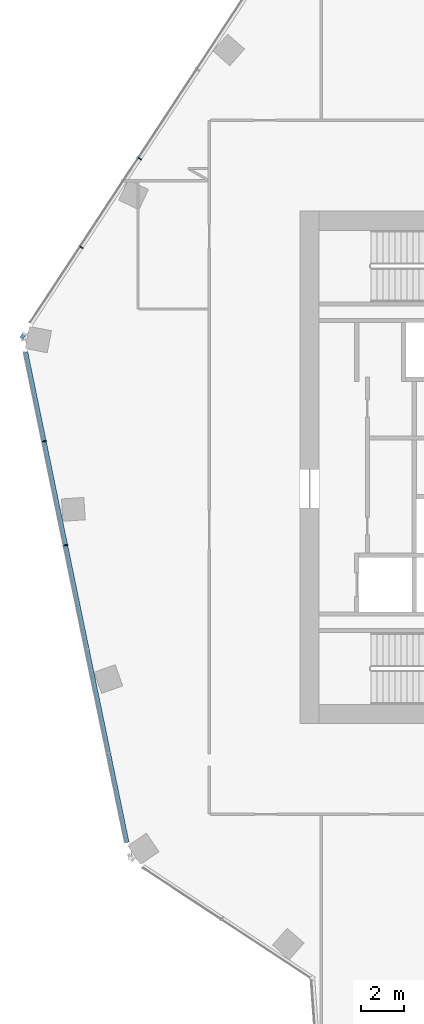
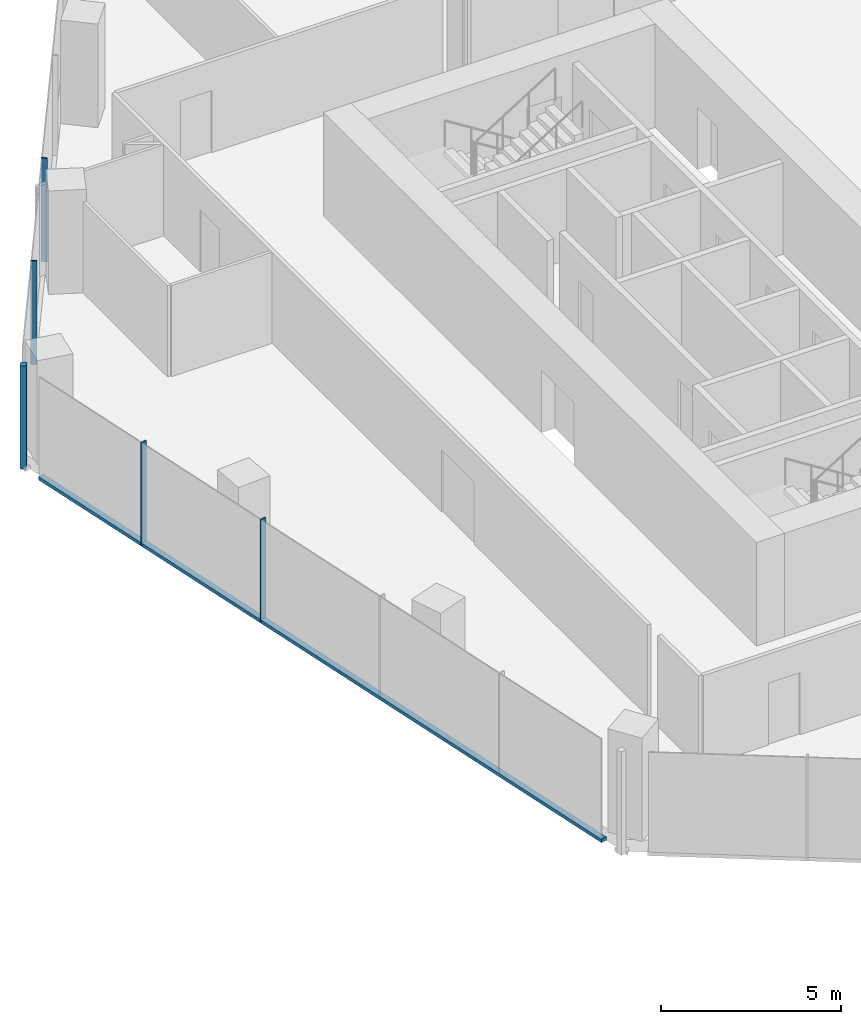
# One storey, part 6 of 24: 6 members, 2 elements without a shape of their own.
"""IFC4 building model written with IfcOpenShell, lengths in metres."""

from ifc_helpers import new_model, si_unit, direction, frame, origin, origin_2d, place, context, subcontext, project, spatial, rectangle, extrude, material, material_profile, profile_set, type_object, element, aggregate, save


model = new_model("IFC4")

# Units and contexts
model_context = context("Model", 3, precision=1e-05, world=origin(), true_north=direction((0.0, 1.0)))
body_context = subcontext(model_context, "Body", "Model", "MODEL_VIEW")
ifc_project = project(units=[si_unit("LENGTHUNIT", "METRE"), si_unit("AREAUNIT", "SQUARE_METRE"), si_unit("VOLUMEUNIT", "CUBIC_METRE"), si_unit("PLANEANGLEUNIT", "RADIAN"), si_unit("MASSUNIT", "GRAM", prefix="KILO")], contexts=[model_context])

# Site, building, storey
site_placement = place(None, origin())
site = spatial("IfcSite", under=ifc_project, at=site_placement, CompositionType="ELEMENT")
building_placement = place(site_placement, origin())
building = spatial("IfcBuilding", under=site, at=building_placement, Name="Orlundy Tower", CompositionType="ELEMENT")
storey_placement = place(building_placement, frame((0.0, 0.0, 239.0)))
storey = spatial("IfcBuildingStorey", under=building, at=storey_placement, Name="L63", CompositionType="ELEMENT", Elevation=239.0)

# Curtain wall, member
ifc_material_1 = material(Name="Aluminium bronze anodised", Category="aluminium")
curtain_wall_type = type_object("IfcCurtainWallType", Name="CW1 wall", PredefinedType="NOTDEFINED", material=ifc_material_1)
curtain_wall_1_placement = place(storey_placement, origin())
curtain_wall_1 = element("IfcCurtainWall", 1, at=curtain_wall_1_placement, inside=storey, type_object=curtain_wall_type, Name="CW1 run 015", PredefinedType="NOTDEFINED")
ifc_material_2 = material(Name="Aluminium bronze anodised", Category="aluminium")
ifc_material_profile_1 = material_profile(ifc_material_2, rectangle(XDim=0.179931640625, YDim=0.179931640625, at=origin_2d()), Name="CW1 corner post 180x180")
ifc_profile_set_1 = profile_set([ifc_material_profile_1], Name="Aluminium bronze anodised")
member_type_1 = type_object("IfcMemberType", Name="CW1 corner post 180x180", PredefinedType="MULLION", material=ifc_profile_set_1)
member_1_placement = place(storey_placement, frame((-31.98876953125, 6.121337890625, -0.39990234375), z_axis=(0.0, 0.0, 1.0), x_axis=(-0.835482225793, 0.5495174705, 0.0)))
member_1 = element("IfcMember", 2, at=member_1_placement, type_object=member_type_1, Name="CW1 mullion 27", PredefinedType="MULLION", context=body_context, shape_type="SweptSolid", body=[
    extrude(rectangle(XDim=0.179931640625, YDim=0.179931640625, at=origin_2d()), origin(), (0.0, 0.0, 1.0), 3.5),
])

# Curtain wall, members
curtain_wall_2_placement = place(storey_placement, origin())
curtain_wall_2 = element("IfcCurtainWall", 3, at=curtain_wall_2_placement, inside=storey, type_object=curtain_wall_type, Name="CW1 run 014", PredefinedType="NOTDEFINED")
ifc_material_3 = material(Name="Aluminium bronze anodised", Category="aluminium")
ifc_material_profile_2 = material_profile(ifc_material_3, rectangle(XDim=0.179931640625, YDim=0.050048828125, at=origin_2d()), Name="CW1 mullion 50x180")
ifc_profile_set_2 = profile_set([ifc_material_profile_2], Name="Aluminium bronze anodised")
member_type_2 = type_object("IfcMemberType", Name="CW1 mullion 50x180", PredefinedType="MULLION", material=ifc_profile_set_2)
member_2_placement = place(storey_placement, frame((-29.970703125, -3.65087890625, -0.39990234375), z_axis=(0.0, 0.0, 1.0), x_axis=(-0.979337428215, -0.202233038095, 0.0)))
member_2 = element("IfcMember", 4, at=member_2_placement, type_object=member_type_2, Name="CW1 mullion 25", PredefinedType="MULLION", context=body_context, shape_type="SweptSolid", body=[
    extrude(rectangle(XDim=0.179931640625, YDim=0.050048828125, at=origin_2d()), origin(), (0.0, 0.0, 1.0), 3.5),
])
member_3_placement = place(storey_placement, frame((-30.975830078125, 1.217041015625, -0.39990234375), z_axis=(0.0, 0.0, 1.0), x_axis=(-0.979337428215, -0.202233038095, 0.0)))
member_3 = element("IfcMember", 5, at=member_3_placement, type_object=member_type_2, Name="CW1 mullion 26", PredefinedType="MULLION", context=body_context, shape_type="SweptSolid", body=[
    extrude(rectangle(XDim=0.179931640625, YDim=0.050048828125, at=origin_2d()), origin(), (0.0, 0.0, 1.0), 3.5),
])

# Member
member_4_placement = place(storey_placement, frame((-29.23681640625, 10.30517578125, -0.39990234375), z_axis=(0.0, 0.0, 1.0), x_axis=(-0.835482225793, 0.5495174705, 0.0)))
member_4 = element("IfcMember", 6, at=member_4_placement, type_object=member_type_2, Name="CW1 mullion 28", PredefinedType="MULLION", context=body_context, shape_type="SweptSolid", body=[
    extrude(rectangle(XDim=0.179931640625, YDim=0.050048828125, at=origin_2d()), origin(), (0.0, 0.0, 1.0), 3.5),
])

member_5_placement = place(storey_placement, frame((-26.50537109375, 14.4580078125, -0.39990234375), z_axis=(0.0, 0.0, 1.0), x_axis=(-0.835482225793, 0.5495174705, 0.0)))
member_5 = element("IfcMember", 7, at=member_5_placement, type_object=member_type_2, Name="CW1 mullion 29", PredefinedType="MULLION", context=body_context, shape_type="SweptSolid", body=[
    extrude(rectangle(XDim=0.179931640625, YDim=0.050048828125, at=origin_2d()), origin(), (0.0, 0.0, 1.0), 3.5),
])

aggregate(curtain_wall_1, [member_1, member_4, member_5])

ifc_material_4 = material(Name="Aluminium bronze anodised", Category="aluminium")
ifc_material_profile_3 = material_profile(ifc_material_4, rectangle(XDim=0.179931640625, YDim=0.1201171875, at=origin_2d()), Name="CW1 transom 180x120")
ifc_profile_set_3 = profile_set([ifc_material_profile_3], Name="Aluminium bronze anodised")
member_type_3 = type_object("IfcMemberType", Name="CW1 transom 180x120", PredefinedType="USERDEFINED", material=ifc_profile_set_3)
member_6_placement = place(storey_placement, frame((-27.095458984375, -17.57470703125, -0.340087890625), z_axis=(-0.202238841113, 0.979336229875, 0.0), x_axis=(-0.979336229875, -0.202238841113, 0.0)))
member_6 = element("IfcMember", 8, at=member_6_placement, type_object=member_type_3, Name="CW1 transom", ObjectType="TRANSOM", PredefinedType="USERDEFINED", context=body_context, shape_type="SweptSolid", body=[
    extrude(rectangle(XDim=0.179931640625, YDim=0.1201171875, at=origin_2d()), origin(), (0.0, 0.0, 1.0), 23.46533203125),
])

aggregate(curtain_wall_2, [member_2, member_3, member_6])

save(model, "model.ifc")
